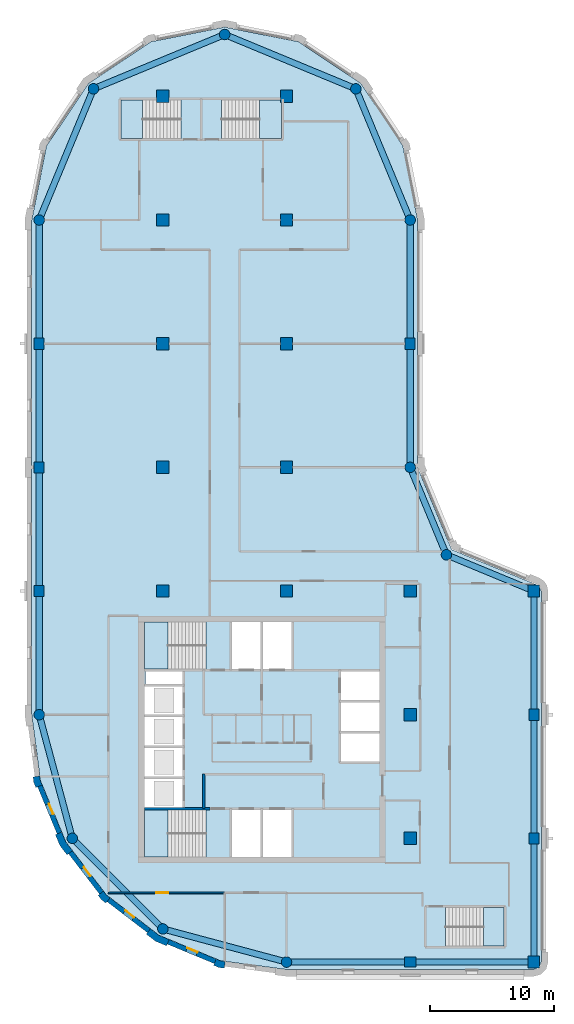
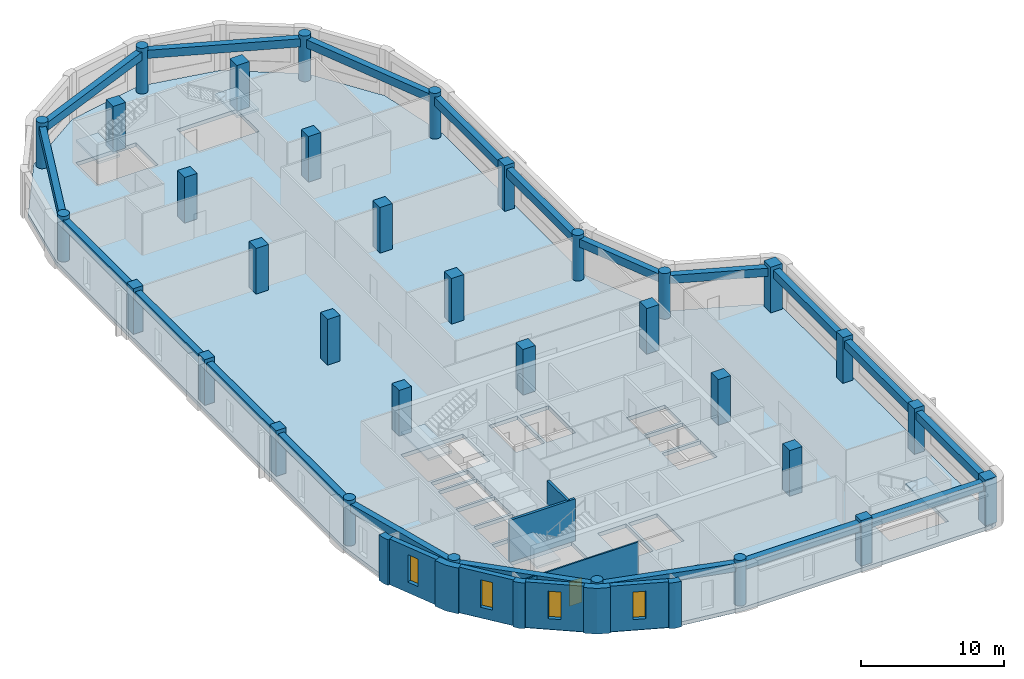
# One storey, part 1 of 8: 33 columns, 20 beams, 12 walls, 6 slabs, 4 windows, 1 door, 5 openings, 5 elements without a shape of their own.
"""IFC4 building model written with IfcOpenShell, lengths in metres."""

import ifcopenshell
import ifcopenshell.guid

model = None  # the IFC model being written
_history = None  # IfcOwnerHistory: only IFC2X3 demands one
_inside = {}  # id of a spatial element -> (the spatial element, [elements in it])
_under = {}  # id of a project, library or spatial element -> (it, [spatial elements below it])
_declared = {}  # id of a project -> (the project, [libraries it declares])
_typed = {}  # id of a type object -> (the type object, [elements of that type])
_made_of = {}  # id of a material, layer set ... -> (it, [elements and type objects made of it])


def new_model(schema):
    """Start an empty IFC model of exactly this schema.

    Asked for "IFC4X3", IfcOpenShell would pick the latest addendum, in which some entities
    have other attributes; the version numbers below select the first issue.
    IFC2X3 requires an IfcOwnerHistory on every rooted entity: one is made here for all.
    """
    global model, _history
    if schema == "IFC4X3":
        model = ifcopenshell.file(schema_version=(4, 3, 0, 0))
    else:
        model = ifcopenshell.file(schema=schema)
    _inside.clear()
    _under.clear()
    _declared.clear()
    _typed.clear()
    _made_of.clear()
    _history = None
    if model.schema == "IFC2X3":
        org = make("IfcOrganization", Name="unknown")
        user = make(
            "IfcPersonAndOrganization",
            ThePerson=make("IfcPerson", FamilyName="unknown"),
            TheOrganization=org,
        )
        app = make(
            "IfcApplication",
            ApplicationDeveloper=org,
            Version="unknown",
            ApplicationFullName="unknown",
            ApplicationIdentifier="unknown",
        )
        _history = make(
            "IfcOwnerHistory",
            OwningUser=user,
            OwningApplication=app,
            ChangeAction="ADDED",
            CreationDate=0,
        )
    return model


def make(cls, **values):
    """One entity of the class cls with the attributes given. An attribute that is None is left unset."""
    return model.create_entity(
        cls, **{name: value for name, value in values.items() if value is not None}
    )


def rooted(cls, **values):
    """An entity with a GlobalId (a new one), such as an element, a storey or a relation."""
    return make(cls, GlobalId=ifcopenshell.guid.new(), OwnerHistory=_history, **values)


def si_unit(unit_type, name, prefix=None):
    """IfcSIUnit, for example si_unit("LENGTHUNIT", "METRE", prefix="MILLI")."""
    return make("IfcSIUnit", UnitType=unit_type, Prefix=prefix, Name=name)


def assignment(units):
    """IfcUnitAssignment: the units of a project."""
    return None if units is None else make("IfcUnitAssignment", Units=units)


def point(xyz):
    """IfcCartesianPoint."""
    return None if xyz is None else make("IfcCartesianPoint", Coordinates=xyz)


def direction(xyz):
    """IfcDirection."""
    return None if xyz is None else make("IfcDirection", DirectionRatios=xyz)


def frame(location, z_axis=None, x_axis=None):
    """IfcAxis2Placement3D, a coordinate frame: its origin and axes. An axis left out is left unset."""
    return make(
        "IfcAxis2Placement3D",
        Location=point(location),
        Axis=direction(z_axis),
        RefDirection=direction(x_axis),
    )


def frame_2d(location, x_axis=None):
    """IfcAxis2Placement2D, a coordinate frame in the plane: its origin and x axis."""
    return make(
        "IfcAxis2Placement2D", Location=point(location), RefDirection=direction(x_axis)
    )


def origin():
    """The frame at (0, 0, 0) with its axes left unset."""
    return frame((0.0, 0.0, 0.0))


def origin_2d():
    """The frame at (0, 0) in the plane with its x axis left unset."""
    return frame_2d((0.0, 0.0))


def place(relative_to, where):
    """IfcLocalPlacement: puts the frame where relative to a parent placement (None: the world)."""
    return make(
        "IfcLocalPlacement", PlacementRelTo=relative_to, RelativePlacement=where
    )


def context(
    kind, dimensions, precision=None, world=None, true_north=None, identifier=None
):
    """IfcGeometricRepresentationContext, for example the 3D "Model" context."""
    return make(
        "IfcGeometricRepresentationContext",
        ContextIdentifier=identifier,
        ContextType=kind,
        CoordinateSpaceDimension=dimensions,
        Precision=precision,
        WorldCoordinateSystem=world,
        TrueNorth=true_north,
    )


def subcontext(parent, identifier, kind, view, scale=None):
    """IfcGeometricRepresentationSubContext, for example "Body" below "Model"."""
    return make(
        "IfcGeometricRepresentationSubContext",
        ContextIdentifier=identifier,
        ContextType=kind,
        ParentContext=parent,
        TargetScale=scale,
        TargetView=view,
    )


def project(units=None, contexts=None):
    """IfcProject with its units and contexts."""
    return rooted(
        "IfcProject",
        Name="project",
        RepresentationContexts=contexts,
        UnitsInContext=assignment(units),
    )


def spatial(cls, under=None, at=None, **own):
    """A site, building, storey or space (cls), placed at a placement, below another one or the project."""
    s = rooted(cls, ObjectPlacement=at, **own)
    if under is not None:
        _under.setdefault(under.id(), (under, []))[1].append(s)
    return s


def polyline(points):
    """IfcPolyline through the points."""
    return make("IfcPolyline", Points=[point(p) for p in points])


def profile(cls, at=None, kind="AREA", **sizes):
    """A parametric profile (cls). Its sizes go by their IFC names, for example OverallWidth=200.0."""
    return make(cls, ProfileType=kind, Position=at, **sizes)


def rectangle(**sizes):
    """IfcRectangleProfileDef."""
    return profile("IfcRectangleProfileDef", **sizes)


def circle(**sizes):
    """IfcCircleProfileDef."""
    return profile("IfcCircleProfileDef", **sizes)


def outline(outer, holes=None, kind="AREA"):
    """IfcArbitraryClosedProfileDef: a profile drawn as a closed curve; with holes, ...WithVoids."""
    if holes is None:
        return make("IfcArbitraryClosedProfileDef", ProfileType=kind, OuterCurve=outer)
    return make(
        "IfcArbitraryProfileDefWithVoids",
        ProfileType=kind,
        OuterCurve=outer,
        InnerCurves=holes,
    )


def extrude(swept, where, along, depth):
    """IfcExtrudedAreaSolid: the profile swept, set in the frame where, extruded along a direction by depth."""
    return make(
        "IfcExtrudedAreaSolid",
        SweptArea=swept,
        Position=where,
        ExtrudedDirection=direction(along),
        Depth=depth,
    )


def shape(context_of_items, identifier, shape_type, items):
    """IfcShapeRepresentation: the items that make up one representation, for example the "Body"."""
    return make(
        "IfcShapeRepresentation",
        ContextOfItems=context_of_items,
        RepresentationIdentifier=identifier,
        RepresentationType=shape_type,
        Items=items,
    )


def material(Name=None, Category=None):
    """IfcMaterial."""
    return make("IfcMaterial", Name=Name, Category=Category)


def layer(
    of_material, thickness, ventilated=None, Name=None, Category=None, Priority=None
):
    """IfcMaterialLayer: one layer of a wall or slab, of a material (None: an air gap)."""
    return make(
        "IfcMaterialLayer",
        Material=of_material,
        LayerThickness=thickness,
        IsVentilated=ventilated,
        Name=Name,
        Category=Category,
        Priority=Priority,
    )


def layer_set(layers, Name=None):
    """IfcMaterialLayerSet."""
    return make("IfcMaterialLayerSet", MaterialLayers=layers, LayerSetName=Name)


def material_profile(
    of_material, cross_section, Name=None, Category=None, Priority=None
):
    """IfcMaterialProfile: a cross section and its material."""
    return make(
        "IfcMaterialProfile",
        Name=Name,
        Material=of_material,
        Profile=cross_section,
        Priority=Priority,
        Category=Category,
    )


def profile_set(profiles, Name=None, composite=None):
    """IfcMaterialProfileSet."""
    return make(
        "IfcMaterialProfileSet",
        Name=Name,
        MaterialProfiles=profiles,
        CompositeProfile=composite,
    )


def made_of(thing, what):
    """Note that an element or type object is made of a material, layer set ...; save() writes the relation."""
    if what is not None:
        _made_of.setdefault(what.id(), (what, []))[1].append(thing)
    return thing


def type_object(cls, material=None, **own):
    """A type object (cls), such as IfcWallType, which elements share."""
    return made_of(rooted(cls, **own), material)


def element(
    cls,
    number,
    at=None,
    inside=None,
    cuts=None,
    type_object=None,
    material=None,
    context=None,
    identifier="Body",
    shape_type=None,
    held_by="IfcProductDefinitionShape",
    body=None,
    shapes=None,
    **own,
):
    """One element of the class cls, such as IfcWall. Its Tag is "e" and its number.

    at: its placement. inside: the storey or other place that contains it. cuts: it is an
    opening in that element (IfcRelVoidsElement). A single representation is given by context,
    identifier, shape_type and body (its items); several are given by shapes. held_by: the class
    of the entity that holds the representations. save() writes the other relations.
    """
    e = rooted(cls, Tag="e%d" % number, ObjectPlacement=at, **own)
    if body is not None:
        shapes = [shape(context, identifier, shape_type, body)]
    if shapes is not None:
        e.Representation = make(held_by, Representations=shapes)
    if inside is not None:
        _inside.setdefault(inside.id(), (inside, []))[1].append(e)
    if cuts is not None:
        rooted(
            "IfcRelVoidsElement", RelatingBuildingElement=cuts, RelatedOpeningElement=e
        )
    if type_object is not None:
        _typed.setdefault(type_object.id(), (type_object, []))[1].append(e)
    return made_of(e, material)


def fill(opening, filler):
    """IfcRelFillsElement: the door or window that sits in an opening."""
    return rooted(
        "IfcRelFillsElement",
        RelatingOpeningElement=opening,
        RelatedBuildingElement=filler,
    )


def aggregate(whole, parts):
    """IfcRelAggregates: a whole, such as a stair, and the parts it consists of."""
    return rooted("IfcRelAggregates", RelatingObject=whole, RelatedObjects=parts)


def save(model, path):
    """Write the relations noted so far, then the file.

    IfcRelAggregates (storeys below a building ...), IfcRelContainedInSpatialStructure (elements
    in a storey), IfcRelDefinesByType, IfcRelAssociatesMaterial and IfcRelDeclares: one each for
    every whole, place, type object, material and project.
    """
    for whole, parts in _under.values():
        aggregate(whole, parts)
    for where, things in _inside.values():
        rooted(
            "IfcRelContainedInSpatialStructure",
            RelatedElements=things,
            RelatingStructure=where,
        )
    for kind, things in _typed.values():
        rooted("IfcRelDefinesByType", RelatedObjects=things, RelatingType=kind)
    for what, things in _made_of.values():
        rooted("IfcRelAssociatesMaterial", RelatedObjects=things, RelatingMaterial=what)
    for by, libraries in _declared.values():
        rooted("IfcRelDeclares", RelatingContext=by, RelatedDefinitions=libraries)
    model.write(path)


model = new_model("IFC4")

# Units and contexts
model_context = context("Model", 3, precision=1e-05, world=origin(), true_north=direction((0.0, 1.0)))
body_context = subcontext(model_context, "Body", "Model", "MODEL_VIEW")
ifc_project = project(units=[si_unit("LENGTHUNIT", "METRE"), si_unit("AREAUNIT", "SQUARE_METRE"), si_unit("VOLUMEUNIT", "CUBIC_METRE"), si_unit("PLANEANGLEUNIT", "RADIAN"), si_unit("MASSUNIT", "GRAM", prefix="KILO")], contexts=[model_context])

# Site, building, storey
site_placement = place(None, origin())
site = spatial("IfcSite", under=ifc_project, at=site_placement, CompositionType="ELEMENT")
building_placement = place(site_placement, origin())
building = spatial("IfcBuilding", under=site, at=building_placement, Name="Qaws Garden Tower", CompositionType="ELEMENT")
storey_placement = place(building_placement, frame((0.0, 0.0, 294.300048828125)))
storey = spatial("IfcBuildingStorey", under=building, at=storey_placement, Name="L71", CompositionType="ELEMENT", Elevation=294.300048828125)

# Columns
ifc_material_1 = material(Name="Concrete C60", Category="concrete")
ifc_material_profile_1 = material_profile(ifc_material_1, rectangle(XDim=1.0, YDim=1.0, at=origin_2d()), Name="RC 1000x1000")
ifc_profile_set_1 = profile_set([ifc_material_profile_1], Name="Concrete C60")
column_type_1 = type_object("IfcColumnType", Name="Column RC 1000x1000 C60", PredefinedType="COLUMN", material=ifc_profile_set_1)
for number, where, z_axis, x_axis, name in (
    (1, (10.0, 30.0, 0.0), (0.0, 0.0, 1.0), (1.0, 0.0, 0.0), "Column L71-021"),
    (2, (10.0, 40.0, 0.0), (0.0, 0.0, 1.0), (1.0, 0.0, 0.0), "Column L71-022"),
    (3, (10.0, 50.0, 0.0), (0.0, 0.0, 1.0), (1.0, 0.0, 0.0), "Column L71-023"),
    (4, (10.0, 60.0, 0.0), (0.0, 0.0, 1.0), (1.0, 0.0, 0.0), "Column L71-024"),
    (5, (10.0, 70.0, 0.0), (0.0, 0.0, 1.0), (1.0, 0.0, 0.0), "Column L71-025"),
    (6, (20.0, 30.0, 0.0), (0.0, 0.0, 1.0), (1.0, 0.0, 0.0), "Column L71-026"),
    (7, (20.0, 40.0, 0.0), (0.0, 0.0, 1.0), (1.0, 0.0, 0.0), "Column L71-027"),
    (8, (20.0, 50.0, 0.0), (0.0, 0.0, 1.0), (1.0, 0.0, 0.0), "Column L71-028"),
    (9, (20.0, 60.0, 0.0), (0.0, 0.0, 1.0), (1.0, 0.0, 0.0), "Column L71-029"),
    (10, (20.0, 70.0, 0.0), (0.0, 0.0, 1.0), (1.0, 0.0, 0.0), "Column L71-030"),
    (11, (30.0, 10.0, 0.0), (0.0, 0.0, 1.0), (1.0, 0.0, 0.0), "Column L71-031"),
    (12, (30.0, 20.0, 0.0), (0.0, 0.0, 1.0), (1.0, 0.0, 0.0), "Column L71-032"),
    (13, (30.0, 30.0, 0.0), (0.0, 0.0, 1.0), (1.0, 0.0, 0.0), "Column L71-033"),
):
    element("IfcColumn", number, at=place(storey_placement, frame(where, z_axis=z_axis, x_axis=x_axis)), inside=storey, type_object=column_type_1, Name=name, PredefinedType="COLUMN", context=body_context, shape_type="SweptSolid", body=[
        extrude(rectangle(XDim=1.0, YDim=1.0, at=origin_2d()), origin(), (0.0, 0.0, 1.0), 3.89990234375),
    ])
ifc_material_2 = material(Name="Concrete C60", Category="concrete")
ifc_material_profile_2 = material_profile(ifc_material_2, rectangle(XDim=0.89990234375, YDim=0.800048828125, at=origin_2d()), Name="RC 900x800")
ifc_profile_set_2 = profile_set([ifc_material_profile_2], Name="Concrete C60")
column_type_2 = type_object("IfcColumnType", Name="Column RC 900x800 C60", PredefinedType="COLUMN", material=ifc_profile_set_2)
for number, where, z_axis, x_axis, name in (
    (14, (30.0, 0.0, 0.0), (0.0, 0.0, 1.0), (1.0, 0.0, 0.0), "Column L71-002"),
    (15, (40.0, 10.0, 0.0), (0.0, 0.0, 1.0), (0.0, 1.0, 0.0), "Column L71-004"),
    (16, (40.0, 20.0, 0.0), (0.0, 0.0, 1.0), (0.0, 1.0, 0.0), "Column L71-005"),
    (17, (30.0, 50.0, 0.0), (0.0, 0.0, 1.0), (0.0, 1.0, 0.0), "Column L71-009"),
    (18, (0.0, 50.0, 0.0), (0.0, 0.0, 1.0), (0.0, 1.0, 0.0), "Column L71-015"),
    (19, (0.0, 40.0, 0.0), (0.0, 0.0, 1.0), (0.0, 1.0, 0.0), "Column L71-016"),
    (20, (0.0, 30.0, 0.0), (0.0, 0.0, 1.0), (0.0, 1.0, 0.0), "Column L71-017"),
):
    element("IfcColumn", number, at=place(storey_placement, frame(where, z_axis=z_axis, x_axis=x_axis)), inside=storey, type_object=column_type_2, Name=name, PredefinedType="COLUMN", context=body_context, shape_type="SweptSolid", body=[
        extrude(rectangle(XDim=0.89990234375, YDim=0.800048828125, at=origin_2d()), origin(), (0.0, 0.0, 1.0), 3.89990234375),
    ])
ifc_material_3 = material(Name="Concrete C60", Category="concrete")
ifc_material_profile_3 = material_profile(ifc_material_3, rectangle(XDim=0.949951171875, YDim=0.949951171875, at=origin_2d()), Name="RC 950x950")
ifc_profile_set_3 = profile_set([ifc_material_profile_3], Name="Concrete C60")
column_type_3 = type_object("IfcColumnType", Name="Column RC 950x950 C60", PredefinedType="COLUMN", material=ifc_profile_set_3)
for number, where, z_axis, x_axis, name in (
    (21, (40.0, 0.0, 0.0), (0.0, 0.0, 1.0), (1.0, 0.0, 0.0), "Column L71-003"),
    (22, (40.0, 30.0, 0.0), (0.0, 0.0, 1.0), (1.0, 0.0, 0.0), "Column L71-006"),
):
    element("IfcColumn", number, at=place(storey_placement, frame(where, z_axis=z_axis, x_axis=x_axis)), inside=storey, type_object=column_type_3, Name=name, PredefinedType="COLUMN", context=body_context, shape_type="SweptSolid", body=[
        extrude(rectangle(XDim=0.949951171875, YDim=0.949951171875, at=origin_2d()), origin(), (0.0, 0.0, 1.0), 3.89990234375),
    ])
ifc_material_4 = material(Name="Concrete C60", Category="concrete")
ifc_material_profile_4 = material_profile(ifc_material_4, circle(Radius=0.425048828125, at=origin_2d()), Name="RC D850")
ifc_profile_set_4 = profile_set([ifc_material_profile_4], Name="Concrete C60")
column_type_4 = type_object("IfcColumnType", Name="Column RC D850 C60", PredefinedType="COLUMN", material=ifc_profile_set_4)
for number, where, z_axis, x_axis, name in (
    (23, (20.0, 0.0, 0.0), (0.0, 0.0, 1.0), (1.0, 0.0, 0.0), "Column L71-001"),
    (24, (32.928955078125, 32.928955078125, 0.0), (0.0, 0.0, 1.0), (1.0, 0.0, 0.0), "Column L71-007"),
    (25, (30.0, 40.0, 0.0), (0.0, 0.0, 1.0), (1.0, 0.0, 0.0), "Column L71-008"),
    (26, (30.0, 60.0, 0.0), (0.0, 0.0, 1.0), (1.0, 0.0, 0.0), "Column L71-010"),
    (27, (25.606689453125, 70.606689453125, 0.0), (0.0, 0.0, 1.0), (1.0, 0.0, 0.0), "Column L71-011"),
    (28, (15.0, 75.0, 0.0), (0.0, 0.0, 1.0), (1.0, 0.0, 0.0), "Column L71-012"),
    (29, (4.393310546875, 70.606689453125, 0.0), (0.0, 0.0, 1.0), (1.0, 0.0, 0.0), "Column L71-013"),
    (30, (0.0, 60.0, 0.0), (0.0, 0.0, 1.0), (1.0, 0.0, 0.0), "Column L71-014"),
    (31, (0.0, 20.0, 0.0), (0.0, 0.0, 1.0), (1.0, 0.0, 0.0), "Column L71-018"),
    (32, (2.679443359375, 10.0, 0.0), (0.0, 0.0, 1.0), (1.0, 0.0, 0.0), "Column L71-019"),
    (33, (10.0, 2.679443359375, 0.0), (0.0, 0.0, 1.0), (1.0, 0.0, 0.0), "Column L71-020"),
):
    element("IfcColumn", number, at=place(storey_placement, frame(where, z_axis=z_axis, x_axis=x_axis)), inside=storey, type_object=column_type_4, Name=name, PredefinedType="COLUMN", context=body_context, shape_type="SweptSolid", body=[
        extrude(circle(Radius=0.425048828125, at=origin_2d()), origin(), (0.0, 0.0, 1.0), 3.89990234375),
    ])

# Beams
ifc_material_5 = material(Name="Concrete C45", Category="concrete")
ifc_material_profile_5 = material_profile(ifc_material_5, rectangle(XDim=0.5, YDim=0.699951171875, at=origin_2d()), Name="RC 500x700")
ifc_profile_set_5 = profile_set([ifc_material_profile_5], Name="Concrete C45")
beam_type = type_object("IfcBeamType", Name="Spandrel beam RC 500x700 C45", PredefinedType="SPANDREL", material=ifc_profile_set_5)
for number, where, z_axis, x_axis, name in (
    (34, (20.0, 0.0, 3.22998046875), (1.0, 0.0, 0.0), (0.0, 1.0, 0.0), "Spandrel beam L71-001"),
    (35, (30.0, 0.0, 3.22998046875), (1.0, 0.0, 0.0), (0.0, 1.0, 0.0), "Spandrel beam L71-002"),
    (36, (40.0, 0.0, 3.22998046875), (0.0, 1.0, 0.0), (-1.0, 0.0, 0.0), "Spandrel beam L71-003"),
    (37, (40.0, 10.0, 3.22998046875), (0.0, 1.0, 0.0), (-1.0, 0.0, 0.0), "Spandrel beam L71-004"),
    (38, (40.0, 20.0, 3.22998046875), (0.0, 1.0, 0.0), (-1.0, 0.0, 0.0), "Spandrel beam L71-005"),
):
    element("IfcBeam", number, at=place(storey_placement, frame(where, z_axis=z_axis, x_axis=x_axis)), inside=storey, type_object=beam_type, Name=name, PredefinedType="SPANDREL", context=body_context, shape_type="SweptSolid", body=[
        extrude(rectangle(XDim=0.5, YDim=0.699951171875, at=origin_2d()), origin(), (0.0, 0.0, 1.0), 10.0),
    ])
for number, where, z_axis, x_axis, name in (
    (39, (40.0, 30.0, 3.22998046875), (-0.923878037141, 0.382687042488, 0.0), (-0.382687042488, -0.923878037141, 0.0), "Spandrel beam L71-006"),
    (40, (32.928955078125, 32.928955078125, 3.22998046875), (-0.382687042488, 0.923878037141, 0.0), (-0.923878037141, -0.382687042488, 0.0), "Spandrel beam L71-007"),
):
    element("IfcBeam", number, at=place(storey_placement, frame(where, z_axis=z_axis, x_axis=x_axis)), inside=storey, type_object=beam_type, Name=name, PredefinedType="SPANDREL", context=body_context, shape_type="SweptSolid", body=[
        extrude(rectangle(XDim=0.5, YDim=0.699951171875, at=origin_2d()), origin(), (0.0, 0.0, 1.0), 7.653564453125),
    ])
for number, where, z_axis, x_axis, name in (
    (41, (30.0, 40.0, 3.22998046875), (0.0, 1.0, 0.0), (-1.0, 0.0, 0.0), "Spandrel beam L71-008"),
    (42, (30.0, 50.0, 3.22998046875), (0.0, 1.0, 0.0), (-1.0, 0.0, 0.0), "Spandrel beam L71-009"),
):
    element("IfcBeam", number, at=place(storey_placement, frame(where, z_axis=z_axis, x_axis=x_axis)), inside=storey, type_object=beam_type, Name=name, PredefinedType="SPANDREL", context=body_context, shape_type="SweptSolid", body=[
        extrude(rectangle(XDim=0.5, YDim=0.699951171875, at=origin_2d()), origin(), (0.0, 0.0, 1.0), 10.0),
    ])
for number, where, z_axis, x_axis, name in (
    (43, (30.0, 60.0, 3.22998046875), (-0.382674207535, 0.923883353507, 0.0), (-0.923883353507, -0.382674207535, 0.0), "Spandrel beam L71-010"),
    (44, (25.606689453125, 70.606689453125, 3.22998046875), (-0.923883353507, 0.382674207535, 0.0), (-0.382674207535, -0.923883353507, 0.0), "Spandrel beam L71-011"),
    (45, (15.0, 75.0, 3.22998046875), (-0.923883353507, -0.382674207535, 0.0), (0.382674207535, -0.923883353507, 0.0), "Spandrel beam L71-012"),
    (46, (4.393310546875, 70.606689453125, 3.22998046875), (-0.382674207535, -0.923883353507, 0.0), (0.923883353507, -0.382674207535, 0.0), "Spandrel beam L71-013"),
):
    element("IfcBeam", number, at=place(storey_placement, frame(where, z_axis=z_axis, x_axis=x_axis)), inside=storey, type_object=beam_type, Name=name, PredefinedType="SPANDREL", context=body_context, shape_type="SweptSolid", body=[
        extrude(rectangle(XDim=0.5, YDim=0.699951171875, at=origin_2d()), origin(), (0.0, 0.0, 1.0), 11.48046875),
    ])
for number, where, z_axis, x_axis, name in (
    (47, (0.0, 60.0, 3.22998046875), (0.0, -1.0, 0.0), (1.0, 0.0, 0.0), "Spandrel beam L71-014"),
    (48, (0.0, 50.0, 3.22998046875), (0.0, -1.0, 0.0), (1.0, 0.0, 0.0), "Spandrel beam L71-015"),
    (49, (0.0, 40.0, 3.22998046875), (0.0, -1.0, 0.0), (1.0, 0.0, 0.0), "Spandrel beam L71-016"),
    (50, (0.0, 30.0, 3.22998046875), (0.0, -1.0, 0.0), (1.0, 0.0, 0.0), "Spandrel beam L71-017"),
):
    element("IfcBeam", number, at=place(storey_placement, frame(where, z_axis=z_axis, x_axis=x_axis)), inside=storey, type_object=beam_type, Name=name, PredefinedType="SPANDREL", context=body_context, shape_type="SweptSolid", body=[
        extrude(rectangle(XDim=0.5, YDim=0.699951171875, at=origin_2d()), origin(), (0.0, 0.0, 1.0), 10.0),
    ])
for number, where, z_axis, x_axis, name in (
    (51, (0.0, 20.0, 3.22998046875), (0.25881466832, -0.965926999034, 0.0), (0.965926999034, 0.25881466832, 0.0), "Spandrel beam L71-018"),
    (52, (2.679443359375, 10.0, 3.22998046875), (0.707106781187, -0.707106781187, 0.0), (0.707106781187, 0.707106781187, 0.0), "Spandrel beam L71-019"),
    (53, (10.0, 2.679443359375, 3.22998046875), (0.965926999034, -0.25881466832, 0.0), (0.25881466832, 0.965926999034, 0.0), "Spandrel beam L71-020"),
):
    element("IfcBeam", number, at=place(storey_placement, frame(where, z_axis=z_axis, x_axis=x_axis)), inside=storey, type_object=beam_type, Name=name, PredefinedType="SPANDREL", context=body_context, shape_type="SweptSolid", body=[
        extrude(rectangle(XDim=0.5, YDim=0.699951171875, at=origin_2d()), origin(), (0.0, 0.0, 1.0), 10.352783203125),
    ])

# Slab
ifc_material_6 = material(Name="Concrete C40", Category="concrete")
ifc_layer_1 = layer(ifc_material_6, 0.320068359375)
ifc_layer_set_1 = layer_set([ifc_layer_1], Name="Concrete C40")
slab_type_1 = type_object("IfcSlabType", Name="Floor slab 320 C40", PredefinedType="FLOOR", material=ifc_layer_set_1)
slab_1_placement = place(storey_placement, frame((0.0, 0.0, -0.320068359375)))
element("IfcSlab", 54, at=slab_1_placement, inside=storey, type_object=slab_type_1, Name="Floor slab L71", PredefinedType="FLOOR", context=body_context, shape_type="SweptSolid", body=[
    extrude(outline(polyline([(0.101806640625, 14.668212890625), (-0.60009765625, 20.0), (-0.60009765625, 30.60009765625), (-0.60009765625, 60.0), (-0.60009765625, 60.0), (0.58740234375, 65.969970703125), (3.968994140625, 71.031005859375), (9.030029296875, 74.41259765625), (15.0, 75.60009765625), (20.969970703125, 74.41259765625), (26.031005859375, 71.031005859375), (29.41259765625, 65.969970703125), (30.60009765625, 60.0), (30.60009765625, 40.0), (33.353271484375, 33.353271484375), (40.0, 30.60009765625), (40.42431640625, 30.42431640625), (40.60009765625, 30.0), (40.60009765625, 0.0), (40.42431640625, -0.42431640625), (40.0, -0.60009765625), (30.60009765625, -0.60009765625), (20.0, -0.60009765625), (14.668212890625, 0.101806640625), (9.699951171875, 2.159912109375), (5.43359375, 5.43359375), (2.159912109375, 9.699951171875), (0.101806640625, 14.668212890625)]), holes=[polyline([(13.49951171875, 12.300048828125), (8.5, 12.300048828125), (8.5, 8.5), (13.49951171875, 8.5), (13.49951171875, 12.300048828125)]), polyline([(17.89990234375, 12.300048828125), (15.60009765625, 12.300048828125), (15.60009765625, 8.5), (17.89990234375, 8.5), (17.89990234375, 12.300048828125)]), polyline([(11.60009765625, 14.800048828125), (8.5, 14.800048828125), (8.5, 12.5), (11.60009765625, 12.5), (11.60009765625, 14.800048828125)]), polyline([(11.60009765625, 17.300048828125), (8.5, 17.300048828125), (8.5, 15.0), (11.60009765625, 15.0), (11.60009765625, 17.300048828125)]), polyline([(11.60009765625, 19.800048828125), (8.5, 19.800048828125), (8.5, 17.5), (11.60009765625, 17.5), (11.60009765625, 19.800048828125)]), polyline([(11.60009765625, 22.300048828125), (8.5, 22.300048828125), (8.5, 20.0), (11.60009765625, 20.0), (11.60009765625, 22.300048828125)]), polyline([(11.60009765625, 23.5), (8.60009765625, 23.5), (8.60009765625, 22.5), (11.60009765625, 22.5), (11.60009765625, 23.5)]), polyline([(13.49951171875, 27.5), (8.5, 27.5), (8.5, 23.699951171875), (13.49951171875, 23.699951171875), (13.49951171875, 27.5)]), polyline([(11.449462890625, 69.699951171875), (6.60009765625, 69.699951171875), (6.60009765625, 66.60009765625), (11.449462890625, 66.60009765625), (11.449462890625, 69.699951171875)]), polyline([(37.60009765625, 4.39990234375), (32.8505859375, 4.39990234375), (32.8505859375, 1.300048828125), (37.60009765625, 1.300048828125), (37.60009765625, 4.39990234375)]), polyline([(20.39990234375, 12.300048828125), (18.10009765625, 12.300048828125), (18.10009765625, 8.5), (20.39990234375, 8.5), (20.39990234375, 12.300048828125)]), polyline([(27.5, 18.5), (24.39990234375, 18.5), (24.39990234375, 16.199951171875), (27.5, 16.199951171875), (27.5, 18.5)]), polyline([(27.5, 21.0), (24.39990234375, 21.0), (24.39990234375, 18.699951171875), (27.5, 18.699951171875), (27.5, 21.0)]), polyline([(27.5, 23.5), (24.39990234375, 23.5), (24.39990234375, 21.199951171875), (27.5, 21.199951171875), (27.5, 23.5)]), polyline([(17.89990234375, 27.5), (15.60009765625, 27.5), (15.60009765625, 23.699951171875), (17.89990234375, 23.699951171875), (17.89990234375, 27.5)]), polyline([(20.39990234375, 23.699951171875), (20.39990234375, 27.5), (18.10009765625, 27.5), (18.10009765625, 23.699951171875), (20.39990234375, 23.699951171875)]), polyline([(19.60009765625, 66.60009765625), (19.60009765625, 69.699951171875), (14.75048828125, 69.699951171875), (14.75048828125, 66.60009765625), (19.60009765625, 66.60009765625)])]), origin(), (0.0, 0.0, 1.0), 0.320068359375),
])

# Stair, slab
ifc_material_7 = material(Name="Concrete C40", Category="concrete")
stair_type_1 = type_object("IfcStairType", Name="Exit stair 1500", PredefinedType="HALF_TURN_STAIR", material=ifc_material_7)
placement_1 = place(storey_placement, origin())
stair_1 = element("IfcStair", 55, at=placement_1, inside=storey, type_object=stair_type_1, Name="Stair 1", PredefinedType="HALF_TURN_STAIR")
ifc_material_8 = material(Name="Concrete C40", Category="concrete")
ifc_layer_2 = layer(ifc_material_8, 0.199951171875)
ifc_layer_set_2 = layer_set([ifc_layer_2], Name="Concrete C40")
slab_type_2 = type_object("IfcSlabType", Name="Stair landing 200", PredefinedType="LANDING", material=ifc_layer_set_2)
placement_2 = place(storey_placement, frame((0.0, 0.0, 1.75)))
slab_2 = element("IfcSlab", 56, at=placement_2, type_object=slab_type_2, Name="ST1 landing 1", PredefinedType="LANDING", context=body_context, shape_type="SweptSolid", body=[
    extrude(outline(polyline([(8.5, 8.5), (10.419921875, 8.5), (10.419921875, 12.300048828125), (8.5, 12.300048828125), (8.5, 8.5)])), origin(), (0.0, 0.0, 1.0), 0.199951171875),
])
aggregate(stair_1, [slab_2])

stair_2 = element("IfcStair", 57, at=placement_1, inside=storey, type_object=stair_type_1, Name="Stair 4", PredefinedType="HALF_TURN_STAIR")
slab_3 = element("IfcSlab", 58, at=placement_2, type_object=slab_type_2, Name="ST4 landing 1", PredefinedType="LANDING", context=body_context, shape_type="SweptSolid", body=[
    extrude(outline(polyline([(8.5, 23.699951171875), (10.419921875, 23.699951171875), (10.419921875, 27.5), (8.5, 27.5), (8.5, 23.699951171875)])), origin(), (0.0, 0.0, 1.0), 0.199951171875),
])
aggregate(stair_2, [slab_3])

ifc_material_9 = material(Name="Concrete C40", Category="concrete")
stair_type_2 = type_object("IfcStairType", Name="Exit stair 1350", PredefinedType="HALF_TURN_STAIR", material=ifc_material_9)
stair_3 = element("IfcStair", 59, at=placement_1, inside=storey, type_object=stair_type_2, Name="Stair 5", PredefinedType="HALF_TURN_STAIR")
slab_4 = element("IfcSlab", 60, at=placement_2, type_object=slab_type_2, Name="ST5 landing 1", PredefinedType="LANDING", context=body_context, shape_type="SweptSolid", body=[
    extrude(outline(polyline([(35.929931640625, 1.300048828125), (37.60009765625, 1.300048828125), (37.60009765625, 4.39990234375), (35.929931640625, 4.39990234375), (35.929931640625, 1.300048828125)])), origin(), (0.0, 0.0, 1.0), 0.199951171875),
])
aggregate(stair_3, [slab_4])

stair_4 = element("IfcStair", 61, at=placement_1, inside=storey, type_object=stair_type_2, Name="Stair 6", PredefinedType="HALF_TURN_STAIR")
slab_5 = element("IfcSlab", 62, at=placement_2, type_object=slab_type_2, Name="ST6 landing 1", PredefinedType="LANDING", context=body_context, shape_type="SweptSolid", body=[
    extrude(outline(polyline([(6.60009765625, 66.60009765625), (8.3701171875, 66.60009765625), (8.3701171875, 69.699951171875), (6.60009765625, 69.699951171875), (6.60009765625, 66.60009765625)])), origin(), (0.0, 0.0, 1.0), 0.199951171875),
])
aggregate(stair_4, [slab_5])

stair_5 = element("IfcStair", 63, at=placement_1, inside=storey, type_object=stair_type_2, Name="Stair 7", PredefinedType="HALF_TURN_STAIR")
slab_6 = element("IfcSlab", 64, at=placement_2, type_object=slab_type_2, Name="ST7 landing 1", PredefinedType="LANDING", context=body_context, shape_type="SweptSolid", body=[
    extrude(outline(polyline([(17.830078125, 66.60009765625), (19.60009765625, 66.60009765625), (19.60009765625, 69.699951171875), (17.830078125, 69.699951171875), (17.830078125, 66.60009765625)])), origin(), (0.0, 0.0, 1.0), 0.199951171875),
])
aggregate(stair_5, [slab_6])

# Wall, opening, window
ifc_material_10 = material(Name="Clay facing brick masonry", Category="masonry")
ifc_layer_3 = layer(ifc_material_10, 0.39990234375)
ifc_layer_set_3 = layer_set([ifc_layer_3], Name="Clay facing brick masonry")
wall_type_1 = type_object("IfcWallType", Name="Brick infill wall 400", PredefinedType="SOLIDWALL", material=ifc_layer_set_3)
wall_1_placement = place(storey_placement, frame((0.05712890625, 14.240234375, 0.0), z_axis=(0.0, 0.0, 1.0), x_axis=(0.382721546029, -0.923863744394, 0.0)))
wall_1 = element("IfcWall", 65, at=wall_1_placement, inside=storey, type_object=wall_type_1, Name="E-L71-infill-22", PredefinedType="SOLIDWALL", context=body_context, shape_type="SweptSolid", body=[
    extrude(rectangle(XDim=4.120849609375, YDim=0.39990234375, at=frame_2d((2.060546875, 0.0))), origin(), (0.0, 0.0, 1.0), 3.89990234375),
])
opening_1_placement = place(wall_1_placement, frame((1.610595703125, 0.0, 0.89990234375)))
opening_1 = element("IfcOpeningElement", 66, at=opening_1_placement, cuts=wall_1, Name="Opening W09", PredefinedType="OPENING", context=body_context, shape_type="SweptSolid", body=[
    extrude(rectangle(XDim=0.89990234375, YDim=2.35009765625, at=frame_2d((0.449951171875, 1.175048828125))), frame((0.0, 0.2099609375, 0.0), z_axis=(0.0, -1.0, 0.0), x_axis=(1.0, 0.0, 0.0)), (0.0, 0.0, 1.0), 0.419921875),
])
ifc_material_11 = material(Name="Aluminium framed window, clear glazing", Category="aluminium")
window_type = type_object("IfcWindowType", Name="Slit window 900 x 2350", PartitioningType="SINGLE_PANEL", PredefinedType="WINDOW", material=ifc_material_11)
window_1_placement = place(opening_1_placement, origin())
window_1 = element("IfcWindow", 67, at=window_1_placement, inside=storey, type_object=window_type, Name="E-L71-window-22-0", OverallHeight=2.35009765625, OverallWidth=0.89990234375, PartitioningType="SINGLE_PANEL", PredefinedType="WINDOW", context=body_context, shape_type="SweptSolid", body=[
    extrude(rectangle(XDim=0.89990234375, YDim=2.35009765625, at=frame_2d((0.449951171875, 1.175048828125))), frame((0.0, 0.159912109375, 0.0), z_axis=(0.0, -1.0, 0.0), x_axis=(1.0, 0.0, 0.0)), (0.0, 0.0, 1.0), 0.06005859375),
])
fill(opening_1, window_1)

wall_2_placement = place(storey_placement, frame((2.53173828125, 8.87841796875, 0.0), z_axis=(0.0, 0.0, 1.0), x_axis=(0.608759824817, -0.793354571229, 0.0)))
wall_2 = element("IfcWall", 68, at=wall_2_placement, inside=storey, type_object=wall_type_1, Name="E-L71-infill-23", PredefinedType="SOLIDWALL", context=body_context, shape_type="SweptSolid", body=[
    extrude(rectangle(XDim=4.12109375, YDim=0.39990234375, at=frame_2d((2.060546875, 0.0))), origin(), (0.0, 0.0, 1.0), 3.89990234375),
])
opening_2_placement = place(wall_2_placement, frame((1.610595703125, 0.0, 0.89990234375)))
opening_2 = element("IfcOpeningElement", 69, at=opening_2_placement, cuts=wall_2, Name="Opening W09", PredefinedType="OPENING", context=body_context, shape_type="SweptSolid", body=[
    extrude(rectangle(XDim=0.89990234375, YDim=2.35009765625, at=frame_2d((0.449951171875, 1.175048828125))), frame((0.0, 0.2099609375, 0.0), z_axis=(0.0, -1.0, 0.0), x_axis=(1.0, 0.0, 0.0)), (0.0, 0.0, 1.0), 0.419921875),
])
window_2_placement = place(opening_2_placement, origin())
window_2 = element("IfcWindow", 70, at=window_2_placement, inside=storey, type_object=window_type, Name="E-L71-window-23-0", OverallHeight=2.35009765625, OverallWidth=0.89990234375, PartitioningType="SINGLE_PANEL", PredefinedType="WINDOW", context=body_context, shape_type="SweptSolid", body=[
    extrude(rectangle(XDim=0.89990234375, YDim=2.35009765625, at=frame_2d((0.449951171875, 1.175048828125))), frame((0.0, 0.159912109375, 0.0), z_axis=(0.0, -1.0, 0.0), x_axis=(1.0, 0.0, 0.0)), (0.0, 0.0, 1.0), 0.06005859375),
])
fill(opening_2, window_2)

wall_3_placement = place(storey_placement, frame((5.60888671875, 5.04052734375, 0.0), z_axis=(0.0, 0.0, 1.0), x_axis=(0.793354571229, -0.608759824817, 0.0)))
wall_3 = element("IfcWall", 71, at=wall_3_placement, inside=storey, type_object=wall_type_1, Name="E-L71-infill-24", PredefinedType="SOLIDWALL", context=body_context, shape_type="SweptSolid", body=[
    extrude(rectangle(XDim=4.12109375, YDim=0.39990234375, at=frame_2d((2.060546875, 0.0))), origin(), (0.0, 0.0, 1.0), 3.89990234375),
])
opening_3_placement = place(wall_3_placement, frame((1.610595703125, 0.0, 0.89990234375)))
opening_3 = element("IfcOpeningElement", 72, at=opening_3_placement, cuts=wall_3, Name="Opening W09", PredefinedType="OPENING", context=body_context, shape_type="SweptSolid", body=[
    extrude(rectangle(XDim=0.89990234375, YDim=2.35009765625, at=frame_2d((0.449951171875, 1.175048828125))), frame((0.0, 0.2099609375, 0.0), z_axis=(0.0, -1.0, 0.0), x_axis=(1.0, 0.0, 0.0)), (0.0, 0.0, 1.0), 0.419921875),
])
window_3_placement = place(opening_3_placement, origin())
window_3 = element("IfcWindow", 73, at=window_3_placement, inside=storey, type_object=window_type, Name="E-L71-window-24-0", OverallHeight=2.35009765625, OverallWidth=0.89990234375, PartitioningType="SINGLE_PANEL", PredefinedType="WINDOW", context=body_context, shape_type="SweptSolid", body=[
    extrude(rectangle(XDim=0.89990234375, YDim=2.35009765625, at=frame_2d((0.449951171875, 1.175048828125))), frame((0.0, 0.159912109375, 0.0), z_axis=(0.0, -1.0, 0.0), x_axis=(1.0, 0.0, 0.0)), (0.0, 0.0, 1.0), 0.06005859375),
])
fill(opening_3, window_3)

wall_4_placement = place(storey_placement, frame((10.43310546875, 1.63427734375, 0.0), z_axis=(0.0, 0.0, 1.0), x_axis=(0.923863744394, -0.382721546029, 0.0)))
wall_4 = element("IfcWall", 74, at=wall_4_placement, inside=storey, type_object=wall_type_1, Name="E-L71-infill-25", PredefinedType="SOLIDWALL", context=body_context, shape_type="SweptSolid", body=[
    extrude(rectangle(XDim=4.120849609375, YDim=0.39990234375, at=frame_2d((2.060546875, 0.0))), origin(), (0.0, 0.0, 1.0), 3.89990234375),
])
opening_4_placement = place(wall_4_placement, frame((1.610595703125, 0.0, 0.89990234375)))
opening_4 = element("IfcOpeningElement", 75, at=opening_4_placement, cuts=wall_4, Name="Opening W09", PredefinedType="OPENING", context=body_context, shape_type="SweptSolid", body=[
    extrude(rectangle(XDim=0.89990234375, YDim=2.35009765625, at=frame_2d((0.449951171875, 1.175048828125))), frame((0.0, 0.2099609375, 0.0), z_axis=(0.0, -1.0, 0.0), x_axis=(1.0, 0.0, 0.0)), (0.0, 0.0, 1.0), 0.419921875),
])
window_4_placement = place(opening_4_placement, origin())
window_4 = element("IfcWindow", 76, at=window_4_placement, inside=storey, type_object=window_type, Name="E-L71-window-25-0", OverallHeight=2.35009765625, OverallWidth=0.89990234375, PartitioningType="SINGLE_PANEL", PredefinedType="WINDOW", context=body_context, shape_type="SweptSolid", body=[
    extrude(rectangle(XDim=0.89990234375, YDim=2.35009765625, at=frame_2d((0.449951171875, 1.175048828125))), frame((0.0, 0.159912109375, 0.0), z_axis=(0.0, -1.0, 0.0), x_axis=(1.0, 0.0, 0.0)), (0.0, 0.0, 1.0), 0.06005859375),
])
fill(opening_4, window_4)

# Walls
ifc_material_12 = material(Name="Clay facing brick masonry", Category="masonry")
ifc_layer_4 = layer(ifc_material_12, 0.550048828125)
ifc_layer_set_4 = layer_set([ifc_layer_4], Name="Clay facing brick masonry")
wall_type_2 = type_object("IfcWallType", Name="Brick kink pier 550 x 600", PredefinedType="SOLIDWALL", material=ifc_layer_set_4)
element("IfcWall", 77, at=placement_1, inside=storey, type_object=wall_type_2, Name="E-L71-pier-22", PredefinedType="SOLIDWALL", context=body_context, shape_type="SweptSolid", body=[
    extrude(outline(polyline([(-0.34912109375, 14.990478515625), (-0.497802734375, 14.970947265625), (-0.43896484375, 14.5234375), (-0.26611328125, 14.1064453125), (-0.127685546875, 14.163818359375), (0.241943359375, 14.31689453125), (0.096923828125, 14.6669921875), (0.04736328125, 15.042724609375), (-0.34912109375, 14.990478515625)])), origin(), (0.0, 0.0, 1.0), 3.89990234375),
])
element("IfcWall", 78, at=placement_1, inside=storey, type_object=wall_type_2, Name="E-L71-pier-24", PredefinedType="SOLIDWALL", context=body_context, shape_type="SweptSolid", body=[
    extrude(outline(polyline([(4.8818359375, 5.487060546875), (4.762939453125, 5.395751953125), (5.03759765625, 5.03759765625), (5.395751953125, 4.762939453125), (5.487060546875, 4.8818359375), (5.730712890625, 5.19921875), (5.429931640625, 5.429931640625), (5.19921875, 5.730712890625), (4.8818359375, 5.487060546875)])), origin(), (0.0, 0.0, 1.0), 3.89990234375),
])
element("IfcWall", 79, at=placement_1, inside=storey, type_object=wall_type_2, Name="E-L71-pier-26", PredefinedType="SOLIDWALL", context=body_context, shape_type="SweptSolid", body=[
    extrude(outline(polyline([(14.163818359375, -0.127685546875), (14.1064453125, -0.26611328125), (14.5234375, -0.43896484375), (14.970947265625, -0.497802734375), (14.990478515625, -0.34912109375), (15.042724609375, 0.04736328125), (14.6669921875, 0.096923828125), (14.31689453125, 0.241943359375), (14.163818359375, -0.127685546875)])), origin(), (0.0, 0.0, 1.0), 3.89990234375),
])
ifc_material_13 = material(Name="Clay facing brick masonry", Category="masonry")
ifc_layer_5 = layer(ifc_material_13, 0.550048828125)
ifc_layer_set_5 = layer_set([ifc_layer_5], Name="Clay facing brick masonry")
wall_type_3 = type_object("IfcWallType", Name="Brick pier 550 x 1600", PredefinedType="SOLIDWALL", material=ifc_layer_set_5)
element("IfcWall", 80, at=placement_1, inside=storey, type_object=wall_type_3, Name="E-L71-pier-23", PredefinedType="SOLIDWALL", context=body_context, shape_type="SweptSolid", body=[
    extrude(outline(polyline([(1.449462890625, 10.3564453125), (1.310791015625, 10.299072265625), (1.675048828125, 9.419921875), (2.254150390625, 8.665283203125), (2.373046875, 8.756591796875), (2.6904296875, 9.0), (2.1552734375, 9.697509765625), (1.819091796875, 10.509521484375), (1.449462890625, 10.3564453125)])), origin(), (0.0, 0.0, 1.0), 3.89990234375),
])
element("IfcWall", 81, at=placement_1, inside=storey, type_object=wall_type_3, Name="E-L71-pier-25", PredefinedType="SOLIDWALL", context=body_context, shape_type="SweptSolid", body=[
    extrude(outline(polyline([(8.756591796875, 2.373046875), (8.665283203125, 2.254150390625), (9.419921875, 1.675048828125), (10.299072265625, 1.310791015625), (10.3564453125, 1.449462890625), (10.509521484375, 1.819091796875), (9.697509765625, 2.1552734375), (9.0, 2.6904296875), (8.756591796875, 2.373046875)])), origin(), (0.0, 0.0, 1.0), 3.89990234375),
])
ifc_material_14 = material(Name="Concrete C60", Category="concrete")
ifc_layer_6 = layer(ifc_material_14, 0.199951171875)
ifc_layer_set_6 = layer_set([ifc_layer_6], Name="Concrete C60")
wall_type_4 = type_object("IfcWallType", Name="Core shaft wall 200 C60", PredefinedType="SHEAR", material=ifc_layer_set_6)
wall_10_placement = place(storey_placement, frame((8.5, 12.39990234375, 0.0), z_axis=(0.0, 0.0, 1.0), x_axis=(1.0, 0.0, 0.0)))
element("IfcWall", 82, at=wall_10_placement, inside=storey, type_object=wall_type_4, Name="Shaft wall", PredefinedType="SHEAR", context=body_context, shape_type="SweptSolid", body=[
    extrude(rectangle(XDim=5.300048828125, YDim=0.199951171875, at=frame_2d((2.64990234375, 0.0))), origin(), (0.0, 0.0, 1.0), 3.579833984375),
])
wall_11_placement = place(storey_placement, frame((13.300048828125, 12.39990234375, 0.0), z_axis=(0.0, 0.0, 1.0), x_axis=(0.0, 1.0, 0.0)))
element("IfcWall", 83, at=wall_11_placement, inside=storey, type_object=wall_type_4, Name="Shaft wall", PredefinedType="SHEAR", context=body_context, shape_type="SweptSolid", body=[
    extrude(rectangle(XDim=2.800048828125, YDim=0.199951171875, at=frame_2d((1.39990234375, 0.0))), origin(), (0.0, 0.0, 1.0), 3.579833984375),
])

# Wall, opening, door
ifc_material_15 = material(Name="Glass and aluminium framing", Category="aluminium")
ifc_layer_7 = layer(ifc_material_15, 0.1201171875)
ifc_layer_set_7 = layer_set([ifc_layer_7], Name="Glass and aluminium framing")
wall_type_5 = type_object("IfcWallType", Name="GLAZED PARTITION 120 EI 30", PredefinedType="PARTITIONING", material=ifc_layer_set_7)
wall_12_placement = place(storey_placement, frame((5.60009765625, 5.60009765625, 0.0), z_axis=(0.0, 0.0, 1.0), x_axis=(1.0, 0.0, 0.0)))
wall_12 = element("IfcWall", 84, at=wall_12_placement, inside=storey, type_object=wall_type_5, Name="O-L71-wall-041", PredefinedType="PARTITIONING", context=body_context, shape_type="SweptSolid", body=[
    extrude(rectangle(XDim=9.39990234375, YDim=0.1201171875, at=frame_2d((4.699951171875, 0.0))), origin(), (0.0, 0.0, 1.0), 3.579833984375),
])
opening_5_placement = place(wall_12_placement, frame((3.85009765625, 0.0, 0.0)))
opening_5 = element("IfcOpeningElement", 85, at=opening_5_placement, cuts=wall_12, Name="Opening C609", PredefinedType="OPENING", context=body_context, shape_type="SweptSolid", body=[
    extrude(rectangle(XDim=1.0, YDim=2.10009765625, at=frame_2d((0.5, 1.050048828125))), frame((0.0, 0.070068359375, 0.0), z_axis=(0.0, -1.0, 0.0), x_axis=(1.0, 0.0, 0.0)), (0.0, 0.0, 1.0), 0.14013671875),
])
ifc_material_16 = material(Name="Timber door leaf", Category="wood")
door_type = type_object("IfcDoorType", Name="TENANCY ENTRANCE DOOR 1000 X 2100", OperationType="SINGLE_SWING_LEFT", PredefinedType="DOOR", material=ifc_material_16)
door_placement = place(opening_5_placement, frame((1.0, 0.0, 0.0), z_axis=(0.0, 0.0, 1.0), x_axis=(-1.0, 0.0, 0.0)))
door = element("IfcDoor", 86, at=door_placement, inside=storey, type_object=door_type, Name="O-L71-door-009", OperationType="SINGLE_SWING_LEFT", OverallHeight=2.10009765625, OverallWidth=1.0, PredefinedType="DOOR", context=body_context, shape_type="SweptSolid", body=[
    extrude(rectangle(XDim=1.0, YDim=2.10009765625, at=frame_2d((0.5, 1.050048828125))), frame((0.0, 0.02490234375, 0.0), z_axis=(0.0, -1.0, 0.0), x_axis=(1.0, 0.0, 0.0)), (0.0, 0.0, 1.0), 0.050048828125),
])
fill(opening_5, door)

save(model, "model.ifc")
